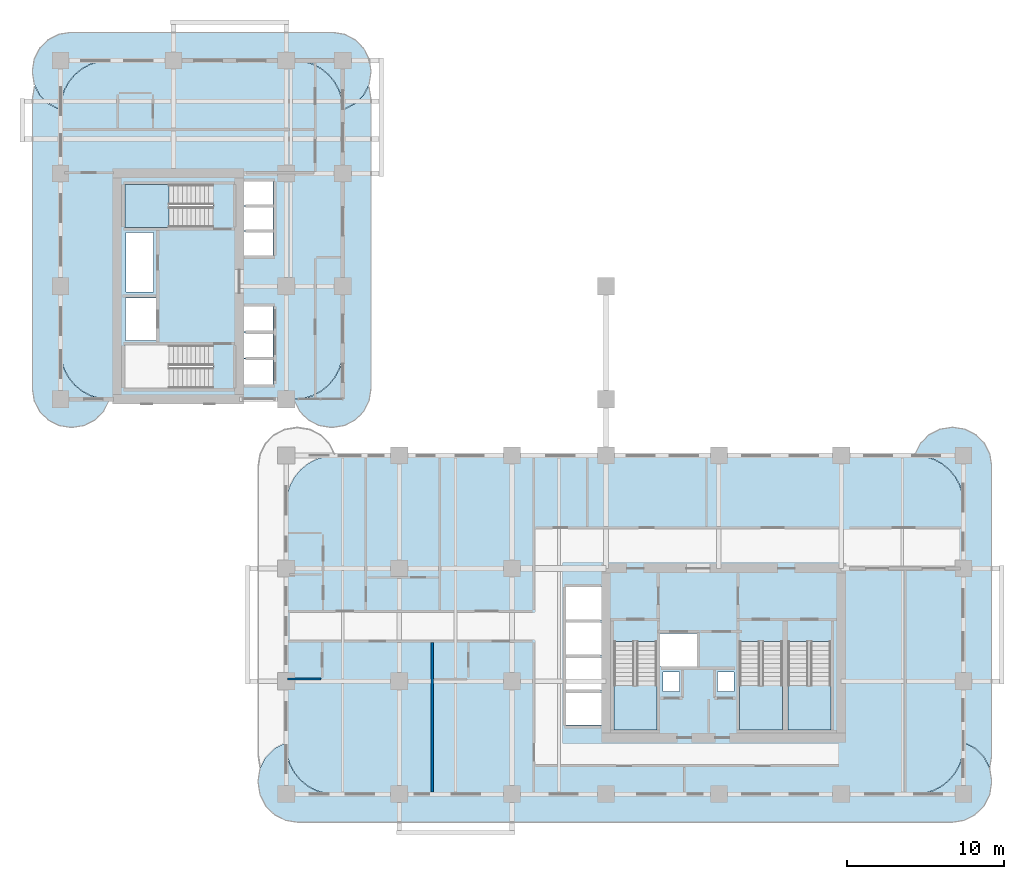
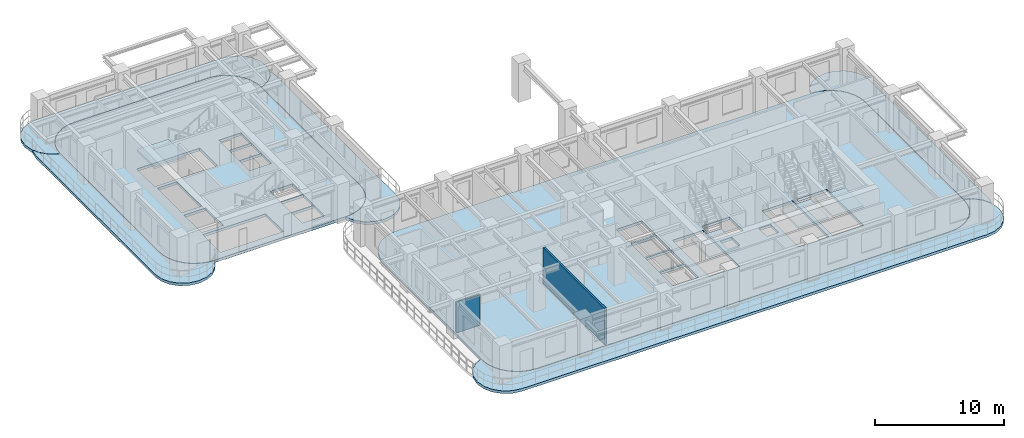
# One storey, part 5 of 19: 11 slabs, 2 walls, 4 elements without a shape of their own.
"""IFC4 building model written with IfcOpenShell, lengths in metres."""

from ifc_helpers import new_model, si_unit, derived_unit, direction, frame, frame_2d, origin, place, context, subcontext, project, spatial, polyline, rectangle, outline, extrude, material, layer, layer_set, type_object, element, aggregate, save


model = new_model("IFC4")

# Units and contexts
model_context = context("Model", 3, precision=1e-05, world=origin(), true_north=direction((0.0, 1.0)))
body_context = subcontext(model_context, "Body", "Model", "MODEL_VIEW")
ifc_project = project(units=[si_unit("LENGTHUNIT", "METRE"), si_unit("AREAUNIT", "SQUARE_METRE"), si_unit("VOLUMEUNIT", "CUBIC_METRE"), si_unit("PLANEANGLEUNIT", "RADIAN"), si_unit("MASSUNIT", "GRAM", prefix="KILO"), si_unit("THERMODYNAMICTEMPERATUREUNIT", "KELVIN"), si_unit("POWERUNIT", "WATT"), derived_unit("THERMALTRANSMITTANCEUNIT", [(si_unit("POWERUNIT", "WATT"), 1), (si_unit("AREAUNIT", "SQUARE_METRE"), -1), (si_unit("THERMODYNAMICTEMPERATUREUNIT", "KELVIN"), -1)])], contexts=[model_context])

# Site, building, storey
site_placement = place(None, origin())
site = spatial("IfcSite", under=ifc_project, at=site_placement, CompositionType="ELEMENT")
building_placement = place(site_placement, origin())
building = spatial("IfcBuilding", under=site, at=building_placement, Name="Zahravan Archway Hotel and Residences", CompositionType="ELEMENT")
storey_placement = place(building_placement, frame((0.0, 0.0, 43.5)))
storey = spatial("IfcBuildingStorey", under=building, at=storey_placement, Name="L09", CompositionType="ELEMENT", Elevation=43.5)

# Slabs
ifc_material_1 = material(Name="Concrete C45/55", Category="concrete")
ifc_layer_1 = layer(ifc_material_1, 0.25, Name="Concrete C45/55", Category="concrete")
ifc_layer_set_1 = layer_set([ifc_layer_1], Name="Concrete C45/55")
slab_type_1 = type_object("IfcSlabType", Name="SLB-BALC-250", PredefinedType="FLOOR", material=ifc_layer_set_1)
slab_1_placement = place(storey_placement, frame((0.0, 0.0, -0.25)))
element("IfcSlab", 1, at=slab_1_placement, inside=storey, type_object=slab_type_1, Name="L09 Wing A South Rounded Balcony Band", PredefinedType="FLOOR", context=body_context, shape_type="SweptSolid", body=[
    extrude(outline(polyline([(57.637939453125, 3.275146484375), (58.348876953125, 2.9130859375), (58.9130859375, 2.348876953125), (59.275146484375, 1.637939453125), (59.39990234375, 0.85009765625), (59.39990234375, 0.75), (59.275146484375, -0.0380859375), (58.9130859375, -0.748779296875), (58.348876953125, -1.31298828125), (57.637939453125, -1.67529296875), (56.85009765625, -1.800048828125), (15.14990234375, -1.800048828125), (14.362060546875, -1.67529296875), (13.651123046875, -1.31298828125), (13.0869140625, -0.748779296875), (12.724853515625, -0.0380859375), (12.60009765625, 0.75), (12.60009765625, 0.85009765625), (12.724853515625, 1.637939453125), (13.0869140625, 2.348876953125), (13.651123046875, 2.9130859375), (14.362060546875, 3.275146484375), (14.3798828125, 3.278076171875), (14.3798828125, 3.10009765625), (14.380126953125, 3.097900390625), (14.439697265625, 2.4931640625), (14.43994140625, 2.4912109375), (14.4404296875, 2.489501953125), (14.616943359375, 1.907958984375), (14.617431640625, 1.906005859375), (14.618408203125, 1.904296875), (14.90478515625, 1.368408203125), (14.90576171875, 1.36669921875), (14.906982421875, 1.364990234375), (15.29248046875, 0.895263671875), (15.2939453125, 0.893798828125), (15.29541015625, 0.892578125), (15.764892578125, 0.5068359375), (15.7666015625, 0.505859375), (15.768310546875, 0.5048828125), (16.30419921875, 0.218505859375), (16.305908203125, 0.217529296875), (16.307861328125, 0.216796875), (16.889404296875, 0.04052734375), (16.891357421875, 0.0400390625), (16.893310546875, 0.039794921875), (17.498046875, -0.02001953125), (17.5, -0.02001953125), (54.5, -0.02001953125), (54.501953125, -0.02001953125), (55.106689453125, 0.039794921875), (55.108642578125, 0.0400390625), (55.110595703125, 0.04052734375), (55.692138671875, 0.216796875), (55.694091796875, 0.217529296875), (55.69580078125, 0.218505859375), (56.231689453125, 0.5048828125), (56.2333984375, 0.505859375), (56.235107421875, 0.5068359375), (56.70458984375, 0.892578125), (56.7060546875, 0.893798828125), (56.70751953125, 0.895263671875), (57.093017578125, 1.364990234375), (57.09423828125, 1.36669921875), (57.09521484375, 1.368408203125), (57.381591796875, 1.904296875), (57.382568359375, 1.906005859375), (57.383056640625, 1.907958984375), (57.5595703125, 2.489501953125), (57.56005859375, 2.4912109375), (57.560302734375, 2.4931640625), (57.619873046875, 3.097900390625), (57.6201171875, 3.10009765625), (57.6201171875, 3.278076171875), (57.637939453125, 3.275146484375)])), origin(), (0.0, 0.0, 1.0), 0.25),
])
slab_2_placement = place(storey_placement, frame((0.0, 0.0, -0.25)))
element("IfcSlab", 2, at=slab_2_placement, inside=storey, type_object=slab_type_1, Name="L09 Wing A East Rounded Balcony Band", PredefinedType="FLOOR", context=body_context, shape_type="SweptSolid", body=[
    extrude(outline(polyline([(54.52001953125, 21.70703125), (54.867919921875, 22.39013671875), (55.409912109375, 22.93212890625), (56.093017578125, 23.280029296875), (56.85009765625, 23.39990234375), (56.949951171875, 23.39990234375), (57.70703125, 23.280029296875), (58.39013671875, 22.93212890625), (58.93212890625, 22.39013671875), (59.280029296875, 21.70703125), (59.39990234375, 20.949951171875), (59.39990234375, 2.449951171875), (59.280029296875, 1.69287109375), (59.27490234375, 1.6826171875), (58.930908203125, 2.35791015625), (58.9296875, 2.35986328125), (58.928466796875, 2.361572265625), (58.927001953125, 2.363037109375), (58.363037109375, 2.927001953125), (58.361572265625, 2.928466796875), (58.35986328125, 2.9296875), (58.35791015625, 2.930908203125), (57.647216796875, 3.29296875), (57.645263671875, 3.2939453125), (57.643310546875, 3.29443359375), (57.64111328125, 3.294921875), (57.623046875, 3.2978515625), (57.62109375, 3.298095703125), (57.6201171875, 3.298095703125), (57.6201171875, 18.5), (57.619873046875, 18.501953125), (57.560302734375, 19.106689453125), (57.56005859375, 19.108642578125), (57.5595703125, 19.110595703125), (57.383056640625, 19.692138671875), (57.382568359375, 19.694091796875), (57.381591796875, 19.69580078125), (57.09521484375, 20.231689453125), (57.09423828125, 20.2333984375), (57.093017578125, 20.235107421875), (56.70751953125, 20.70458984375), (56.7060546875, 20.7060546875), (56.70458984375, 20.70751953125), (56.235107421875, 21.093017578125), (56.2333984375, 21.09423828125), (56.231689453125, 21.09521484375), (55.69580078125, 21.381591796875), (55.694091796875, 21.382568359375), (55.692138671875, 21.383056640625), (55.110595703125, 21.5595703125), (55.108642578125, 21.56005859375), (55.106689453125, 21.560302734375), (54.506103515625, 21.619384765625), (54.52001953125, 21.70703125)])), origin(), (0.0, 0.0, 1.0), 0.25),
])
slab_3_placement = place(storey_placement, frame((0.0, 0.0, -0.25)))
element("IfcSlab", 3, at=slab_3_placement, inside=storey, type_object=slab_type_1, Name="L09 Wing B North Rounded Balcony Band", PredefinedType="FLOOR", context=body_context, shape_type="SweptSolid", body=[
    extrude(outline(polyline([(-0.107177734375, 43.719970703125), (-0.7900390625, 44.06787109375), (-1.33203125, 44.60986328125), (-1.68017578125, 45.29296875), (-1.800048828125, 46.050048828125), (-1.800048828125, 46.14990234375), (-1.68017578125, 46.906982421875), (-1.33203125, 47.590087890625), (-0.7900390625, 48.132080078125), (-0.107177734375, 48.47998046875), (0.64990234375, 48.60009765625), (17.35009765625, 48.60009765625), (18.107177734375, 48.47998046875), (18.7900390625, 48.132080078125), (19.33203125, 47.590087890625), (19.68017578125, 46.906982421875), (19.800048828125, 46.14990234375), (19.800048828125, 46.050048828125), (19.68017578125, 45.29296875), (19.33203125, 44.60986328125), (18.7900390625, 44.06787109375), (18.107177734375, 43.719970703125), (18.01953125, 43.7060546875), (17.960205078125, 44.306884765625), (17.9599609375, 44.30859375), (17.95947265625, 44.310546875), (17.783203125, 44.89208984375), (17.782470703125, 44.89404296875), (17.781494140625, 44.895751953125), (17.4951171875, 45.431640625), (17.494140625, 45.433349609375), (17.4931640625, 45.43505859375), (17.107421875, 45.90478515625), (17.106201171875, 45.906005859375), (17.104736328125, 45.907470703125), (16.635009765625, 46.293212890625), (16.63330078125, 46.294189453125), (16.631591796875, 46.295166015625), (16.095703125, 46.58154296875), (16.093994140625, 46.58251953125), (16.092041015625, 46.5830078125), (15.510498046875, 46.759521484375), (15.5087890625, 46.760009765625), (15.5068359375, 46.76025390625), (14.902099609375, 46.81982421875), (14.89990234375, 46.820068359375), (3.10009765625, 46.820068359375), (3.097900390625, 46.81982421875), (2.4931640625, 46.76025390625), (2.4912109375, 46.760009765625), (2.489501953125, 46.759521484375), (1.907958984375, 46.5830078125), (1.906005859375, 46.58251953125), (1.904296875, 46.58154296875), (1.368408203125, 46.295166015625), (1.36669921875, 46.294189453125), (1.364990234375, 46.293212890625), (0.895263671875, 45.907470703125), (0.893798828125, 45.906005859375), (0.892578125, 45.90478515625), (0.5068359375, 45.43505859375), (0.505859375, 45.433349609375), (0.5048828125, 45.431640625), (0.218505859375, 44.895751953125), (0.217529296875, 44.89404296875), (0.216796875, 44.89208984375), (0.04052734375, 44.310546875), (0.0400390625, 44.30859375), (0.039794921875, 44.306884765625), (-0.01953125, 43.7060546875), (-0.107177734375, 43.719970703125)])), origin(), (0.0, 0.0, 1.0), 0.25),
])
slab_4_placement = place(storey_placement, frame((0.0, 0.0, -0.25)))
element("IfcSlab", 4, at=slab_4_placement, inside=storey, type_object=slab_type_1, Name="L09 Wing B West Rounded Balcony Band", PredefinedType="FLOOR", context=body_context, shape_type="SweptSolid", body=[
    extrude(outline(polyline([(3.080078125, 25.093017578125), (2.732177734375, 24.409912109375), (2.190185546875, 23.867919921875), (1.507080078125, 23.52001953125), (0.75, 23.39990234375), (0.64990234375, 23.39990234375), (-0.107177734375, 23.52001953125), (-0.7900390625, 23.867919921875), (-1.33203125, 24.409912109375), (-1.68017578125, 25.093017578125), (-1.800048828125, 25.85009765625), (-1.800048828125, 44.35009765625), (-1.68017578125, 45.107177734375), (-1.64404296875, 45.177978515625), (-1.349853515625, 44.600830078125), (-1.348876953125, 44.59912109375), (-1.34765625, 44.597412109375), (-1.34619140625, 44.595703125), (-0.80419921875, 44.0537109375), (-0.802734375, 44.052490234375), (-0.801025390625, 44.051025390625), (-0.79931640625, 44.050048828125), (-0.1162109375, 43.7021484375), (-0.1142578125, 43.701171875), (-0.1123046875, 43.70068359375), (-0.110107421875, 43.7001953125), (-0.022705078125, 43.686279296875), (-0.020751953125, 43.68603515625), (-0.02001953125, 43.68603515625), (-0.02001953125, 28.300048828125), (-0.02001953125, 28.298095703125), (0.039794921875, 27.693115234375), (0.0400390625, 27.69140625), (0.04052734375, 27.689453125), (0.216796875, 27.10791015625), (0.217529296875, 27.10595703125), (0.218505859375, 27.104248046875), (0.5048828125, 26.568359375), (0.505859375, 26.566650390625), (0.5068359375, 26.56494140625), (0.892578125, 26.09521484375), (0.893798828125, 26.093994140625), (0.895263671875, 26.092529296875), (1.364990234375, 25.706787109375), (1.36669921875, 25.705810546875), (1.368408203125, 25.704833984375), (1.904296875, 25.41845703125), (1.906005859375, 25.41748046875), (1.907958984375, 25.4169921875), (2.489501953125, 25.240478515625), (2.4912109375, 25.239990234375), (2.4931640625, 25.23974609375), (3.093994140625, 25.180419921875), (3.080078125, 25.093017578125)])), origin(), (0.0, 0.0, 1.0), 0.25),
])
slab_5_placement = place(storey_placement, frame((0.0, 0.0, -0.25)))
element("IfcSlab", 5, at=slab_5_placement, inside=storey, type_object=slab_type_1, Name="L09 Wing B East Rounded Balcony Band", PredefinedType="FLOOR", context=body_context, shape_type="SweptSolid", body=[
    extrude(outline(polyline([(19.68017578125, 45.107177734375), (19.800048828125, 44.35009765625), (19.800048828125, 25.85009765625), (19.68017578125, 25.093017578125), (19.33203125, 24.409912109375), (18.7900390625, 23.867919921875), (18.107177734375, 23.52001953125), (17.35009765625, 23.39990234375), (17.25, 23.39990234375), (16.492919921875, 23.52001953125), (15.809814453125, 23.867919921875), (15.267822265625, 24.409912109375), (14.919921875, 25.093017578125), (14.906005859375, 25.180419921875), (15.5068359375, 25.23974609375), (15.5087890625, 25.239990234375), (15.510498046875, 25.240478515625), (16.092041015625, 25.4169921875), (16.093994140625, 25.41748046875), (16.095703125, 25.41845703125), (16.631591796875, 25.704833984375), (16.63330078125, 25.705810546875), (16.635009765625, 25.706787109375), (17.104736328125, 26.092529296875), (17.106201171875, 26.093994140625), (17.107421875, 26.09521484375), (17.4931640625, 26.56494140625), (17.494140625, 26.566650390625), (17.4951171875, 26.568359375), (17.781494140625, 27.104248046875), (17.782470703125, 27.10595703125), (17.783203125, 27.10791015625), (17.95947265625, 27.689453125), (17.9599609375, 27.69140625), (17.960205078125, 27.693115234375), (18.02001953125, 28.298095703125), (18.02001953125, 28.300048828125), (18.02001953125, 43.68603515625), (18.020751953125, 43.68603515625), (18.022705078125, 43.686279296875), (18.110107421875, 43.7001953125), (18.1123046875, 43.70068359375), (18.1142578125, 43.701171875), (18.1162109375, 43.7021484375), (18.79931640625, 44.050048828125), (18.801025390625, 44.051025390625), (18.802734375, 44.052490234375), (18.80419921875, 44.0537109375), (19.34619140625, 44.595703125), (19.34765625, 44.597412109375), (19.348876953125, 44.59912109375), (19.349853515625, 44.600830078125), (19.64404296875, 45.177978515625), (19.68017578125, 45.107177734375)])), origin(), (0.0, 0.0, 1.0), 0.25),
])
ifc_layer_2 = layer(ifc_material_1, 0.25, Name="Concrete C45/55", Category="concrete")
ifc_layer_set_2 = layer_set([ifc_layer_2], Name="Concrete C45/55")
slab_type_2 = type_object("IfcSlabType", Name="SLB-FLR-250", PredefinedType="FLOOR", material=ifc_layer_set_2)
slab_6_placement = place(storey_placement, frame((0.0, 0.0, -0.25)))
element("IfcSlab", 6, at=slab_6_placement, inside=storey, type_object=slab_type_2, Name="L09 Floor Slab WA", PredefinedType="FLOOR", context=body_context, shape_type="SweptSolid", body=[
    extrude(outline(polyline([(54.5, 0.0), (55.104736328125, 0.0595703125), (55.686279296875, 0.236083984375), (56.222412109375, 0.5224609375), (56.69189453125, 0.907958984375), (57.07763671875, 1.377685546875), (57.364013671875, 1.913818359375), (57.540283203125, 2.4951171875), (57.60009765625, 3.10009765625), (57.60009765625, 18.5), (57.540283203125, 19.104736328125), (57.364013671875, 19.686279296875), (57.07763671875, 20.222412109375), (56.69189453125, 20.69189453125), (56.222412109375, 21.07763671875), (55.686279296875, 21.364013671875), (55.104736328125, 21.540283203125), (54.5, 21.60009765625), (17.5, 21.60009765625), (16.895263671875, 21.540283203125), (16.313720703125, 21.364013671875), (15.777587890625, 21.07763671875), (15.30810546875, 20.69189453125), (14.92236328125, 20.222412109375), (14.635986328125, 19.686279296875), (14.459716796875, 19.104736328125), (14.39990234375, 18.5), (14.39990234375, 3.10009765625), (14.459716796875, 2.4951171875), (14.635986328125, 1.913818359375), (14.92236328125, 1.377685546875), (15.30810546875, 0.907958984375), (15.777587890625, 0.5224609375), (16.313720703125, 0.236083984375), (16.895263671875, 0.0595703125), (17.5, 0.0), (54.5, 0.0)]), holes=[polyline([(35.300048828125, 9.72998046875), (35.300048828125, 4.10009765625), (38.0400390625, 4.10009765625), (38.0400390625, 9.72998046875), (35.300048828125, 9.72998046875)]), polyline([(43.320068359375, 9.72998046875), (43.320068359375, 4.10009765625), (46.06005859375, 4.10009765625), (46.06005859375, 9.72998046875), (43.320068359375, 9.72998046875)]), polyline([(46.39990234375, 9.72998046875), (46.39990234375, 4.10009765625), (49.139892578125, 4.10009765625), (49.139892578125, 9.72998046875), (46.39990234375, 9.72998046875)]), polyline([(38.179931640625, 8.14990234375), (40.699951171875, 8.14990234375), (40.699951171875, 10.25), (38.179931640625, 10.25), (38.179931640625, 8.14990234375)]), polyline([(32.25, 4.39990234375), (34.550048828125, 4.39990234375), (34.550048828125, 6.47998046875), (32.25, 6.47998046875), (32.25, 4.39990234375)]), polyline([(32.25, 6.639892578125), (34.550048828125, 6.639892578125), (34.550048828125, 8.719970703125), (32.25, 8.719970703125), (32.25, 6.639892578125)]), polyline([(32.25, 8.8798828125), (34.550048828125, 8.8798828125), (34.550048828125, 10.9599609375), (32.25, 10.9599609375), (32.25, 8.8798828125)]), polyline([(32.25, 11.1201171875), (34.550048828125, 11.1201171875), (34.550048828125, 13.199951171875), (32.25, 13.199951171875), (32.25, 11.1201171875)]), polyline([(38.419921875, 6.56005859375), (39.5, 6.56005859375), (39.5, 7.780029296875), (38.419921875, 7.780029296875), (38.419921875, 6.56005859375)]), polyline([(41.89990234375, 6.56005859375), (42.9599609375, 6.56005859375), (42.9599609375, 7.780029296875), (41.89990234375, 7.780029296875), (41.89990234375, 6.56005859375)])]), origin(), (0.0, 0.0, 1.0), 0.25),
])
slab_7_placement = place(storey_placement, frame((0.0, 0.0, -0.25)))
element("IfcSlab", 7, at=slab_7_placement, inside=storey, type_object=slab_type_2, Name="L09 Floor Slab WB", PredefinedType="FLOOR", context=body_context, shape_type="SweptSolid", body=[
    extrude(outline(polyline([(14.89990234375, 25.199951171875), (15.5048828125, 25.259521484375), (16.086181640625, 25.43603515625), (16.622314453125, 25.722412109375), (17.092041015625, 26.10791015625), (17.4775390625, 26.57763671875), (17.763916015625, 27.11376953125), (17.9404296875, 27.6953125), (18.0, 28.300048828125), (18.0, 43.699951171875), (17.9404296875, 44.3046875), (17.763916015625, 44.88623046875), (17.4775390625, 45.42236328125), (17.092041015625, 45.89208984375), (16.622314453125, 46.277587890625), (16.086181640625, 46.56396484375), (15.5048828125, 46.740478515625), (14.89990234375, 46.800048828125), (3.10009765625, 46.800048828125), (2.4951171875, 46.740478515625), (1.913818359375, 46.56396484375), (1.377685546875, 46.277587890625), (0.907958984375, 45.89208984375), (0.5224609375, 45.42236328125), (0.236083984375, 44.88623046875), (0.0595703125, 44.3046875), (0.0, 43.699951171875), (0.0, 28.300048828125), (0.0595703125, 27.6953125), (0.236083984375, 27.11376953125), (0.5224609375, 26.57763671875), (0.907958984375, 26.10791015625), (1.377685546875, 25.722412109375), (1.913818359375, 25.43603515625), (2.4951171875, 25.259521484375), (3.10009765625, 25.199951171875), (14.89990234375, 25.199951171875)]), holes=[polyline([(9.72998046875, 28.639892578125), (4.10009765625, 28.639892578125), (4.10009765625, 25.89990234375), (9.72998046875, 25.89990234375), (9.72998046875, 28.639892578125)]), polyline([(9.72998046875, 38.89990234375), (4.10009765625, 38.89990234375), (4.10009765625, 36.159912109375), (9.72998046875, 36.159912109375), (9.72998046875, 38.89990234375)]), polyline([(4.14990234375, 28.949951171875), (6.10009765625, 28.949951171875), (6.10009765625, 31.64990234375), (4.14990234375, 31.64990234375), (4.14990234375, 28.949951171875)]), polyline([(11.550048828125, 26.14990234375), (13.550048828125, 26.14990234375), (13.550048828125, 27.75), (11.550048828125, 27.75), (11.550048828125, 26.14990234375)]), polyline([(11.550048828125, 27.830078125), (13.550048828125, 27.830078125), (13.550048828125, 29.429931640625), (11.550048828125, 29.429931640625), (11.550048828125, 27.830078125)]), polyline([(11.550048828125, 29.510009765625), (13.550048828125, 29.510009765625), (13.550048828125, 31.110107421875), (11.550048828125, 31.110107421875), (11.550048828125, 29.510009765625)]), polyline([(11.550048828125, 34.35009765625), (13.550048828125, 34.35009765625), (13.550048828125, 35.889892578125), (11.550048828125, 35.889892578125), (11.550048828125, 34.35009765625)]), polyline([(11.550048828125, 35.949951171875), (13.550048828125, 35.949951171875), (13.550048828125, 37.489990234375), (11.550048828125, 37.489990234375), (11.550048828125, 35.949951171875)]), polyline([(11.550048828125, 37.550048828125), (13.550048828125, 37.550048828125), (13.550048828125, 39.090087890625), (11.550048828125, 39.090087890625), (11.550048828125, 37.550048828125)]), polyline([(4.179931640625, 32.050048828125), (5.93994140625, 32.050048828125), (5.93994140625, 35.840087890625), (4.179931640625, 35.840087890625), (4.179931640625, 32.050048828125)])]), origin(), (0.0, 0.0, 1.0), 0.25),
])

# Stair, slab
ifc_material_2 = material(Name="Concrete C50/60", Category="concrete")
stair_type = type_object("IfcStairType", Name="STR-CORE-1300", PredefinedType="HALF_TURN_STAIR", material=ifc_material_2)
stair_1_placement = place(storey_placement, origin())
stair_1 = element("IfcStair", 8, at=stair_1_placement, inside=storey, type_object=stair_type, Name="L09 Core A Exit Stair 1", PredefinedType="HALF_TURN_STAIR")
ifc_layer_3 = layer(ifc_material_2, 0.199951171875, Name="Concrete C50/60", Category="concrete")
ifc_layer_set_3 = layer_set([ifc_layer_3], Name="Concrete C50/60")
slab_type_3 = type_object("IfcSlabType", Name="SLB-LND-200", PredefinedType="LANDING", material=ifc_layer_set_3)
slab_8_placement = place(storey_placement, frame((0.0, 0.0, 1.64990234375)))
slab_8 = element("IfcSlab", 9, at=slab_8_placement, type_object=slab_type_3, Name="ST-A1 landing 1", PredefinedType="LANDING", context=body_context, shape_type="SweptSolid", body=[
    extrude(outline(polyline([(35.300048828125, 6.929931640625), (35.300048828125, 4.10009765625), (38.0400390625, 4.10009765625), (38.0400390625, 6.929931640625), (35.300048828125, 6.929931640625)])), origin(), (0.0, 0.0, 1.0), 0.2001953125),
])
aggregate(stair_1, [slab_8])

stair_2_placement = place(storey_placement, origin())
stair_2 = element("IfcStair", 10, at=stair_2_placement, inside=storey, type_object=stair_type, Name="L09 Core A Exit Stair 2", PredefinedType="HALF_TURN_STAIR")
slab_9_placement = place(storey_placement, frame((0.0, 0.0, 1.64990234375)))
slab_9 = element("IfcSlab", 11, at=slab_9_placement, type_object=slab_type_3, Name="ST-A2 landing 1", PredefinedType="LANDING", context=body_context, shape_type="SweptSolid", body=[
    extrude(outline(polyline([(43.320068359375, 6.929931640625), (43.320068359375, 4.10009765625), (46.06005859375, 4.10009765625), (46.06005859375, 6.929931640625), (43.320068359375, 6.929931640625)])), origin(), (0.0, 0.0, 1.0), 0.2001953125),
])
aggregate(stair_2, [slab_9])

stair_3_placement = place(storey_placement, origin())
stair_3 = element("IfcStair", 12, at=stair_3_placement, inside=storey, type_object=stair_type, Name="L09 Core A Exit Stair 3", PredefinedType="HALF_TURN_STAIR")
slab_10_placement = place(storey_placement, frame((0.0, 0.0, 1.64990234375)))
slab_10 = element("IfcSlab", 13, at=slab_10_placement, type_object=slab_type_3, Name="ST-A3 landing 1", PredefinedType="LANDING", context=body_context, shape_type="SweptSolid", body=[
    extrude(outline(polyline([(46.39990234375, 6.929931640625), (46.39990234375, 4.10009765625), (49.139892578125, 4.10009765625), (49.139892578125, 6.929931640625), (46.39990234375, 6.929931640625)])), origin(), (0.0, 0.0, 1.0), 0.2001953125),
])
aggregate(stair_3, [slab_10])

stair_4_placement = place(storey_placement, origin())
stair_4 = element("IfcStair", 14, at=stair_4_placement, inside=storey, type_object=stair_type, Name="L09 Core B Exit Stair 2", PredefinedType="HALF_TURN_STAIR")
slab_11_placement = place(storey_placement, frame((0.0, 0.0, 1.64990234375)))
slab_11 = element("IfcSlab", 15, at=slab_11_placement, type_object=slab_type_3, Name="ST-B2 landing 1", PredefinedType="LANDING", context=body_context, shape_type="SweptSolid", body=[
    extrude(outline(polyline([(6.929931640625, 38.89990234375), (4.10009765625, 38.89990234375), (4.10009765625, 36.159912109375), (6.929931640625, 36.159912109375), (6.929931640625, 38.89990234375)])), origin(), (0.0, 0.0, 1.0), 0.2001953125),
])
aggregate(stair_4, [slab_11])

# Walls
ifc_material_3 = material(Name="Acoustic Stud Partition")
ifc_layer_4 = layer(ifc_material_3, 0.169921875, Name="Acoustic Stud Partition")
ifc_layer_set_4 = layer_set([ifc_layer_4], Name="Acoustic Stud Partition")
wall_type_1 = type_object("IfcWallType", Name="PW-UNIT-170", PredefinedType="PARTITIONING", material=ifc_layer_set_4)
wall_1_placement = place(storey_placement, frame((23.719970703125, 0.14794921875, 0.0), z_axis=(0.0, 0.0, 1.0), x_axis=(0.0, 1.0, 0.0)))
element("IfcWall", 16, at=wall_1_placement, inside=storey, type_object=wall_type_1, Name="L09 Partition WAS-1M", PredefinedType="PARTITIONING", context=body_context, shape_type="SweptSolid", body=[
    extrude(rectangle(XDim=9.511962890625, YDim=0.169921875, at=frame_2d((4.755859375, 0.0))), origin(), (0.0, 0.0, 1.0), 3.449951171875),
])
ifc_material_4 = material(Name="Moisture-Resistant Blockwork", Category="masonry")
ifc_layer_5 = layer(ifc_material_4, 0.139892578125, Name="Moisture-Resistant Blockwork", Category="masonry")
ifc_layer_set_5 = layer_set([ifc_layer_5], Name="Moisture-Resistant Blockwork")
wall_type_2 = type_object("IfcWallType", Name="PW-WET-140", PredefinedType="PARTITIONING", material=ifc_layer_set_5)
wall_2_placement = place(storey_placement, frame((14.489990234375, 7.35009765625, 0.0), z_axis=(0.0, 0.0, 1.0), x_axis=(1.0, 0.0, 0.0)))
element("IfcWall", 17, at=wall_2_placement, inside=storey, type_object=wall_type_2, Name="L09 Partition HKB-H11", PredefinedType="PARTITIONING", context=body_context, shape_type="SweptSolid", body=[
    extrude(rectangle(XDim=2.1201171875, YDim=0.139892578125, at=frame_2d((1.06005859375, 0.0))), origin(), (0.0, 0.0, 1.0), 2.885009765625),
])

save(model, "model.ifc")
